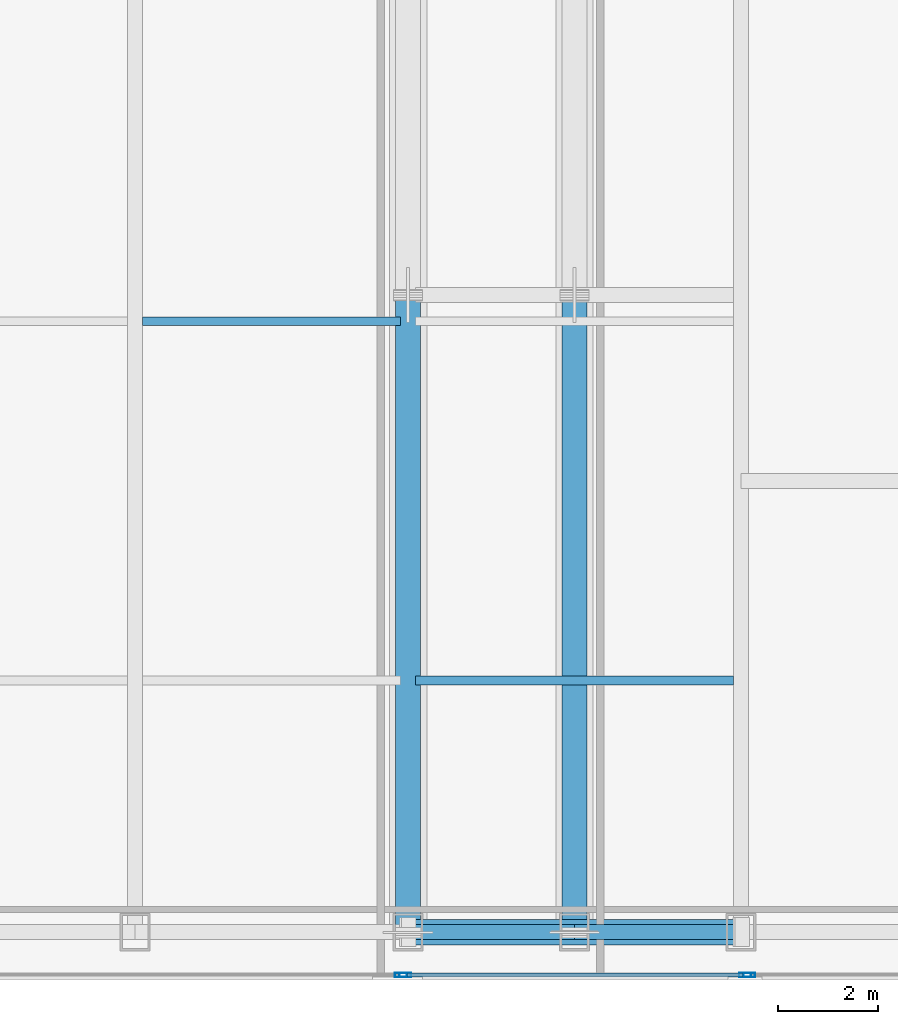
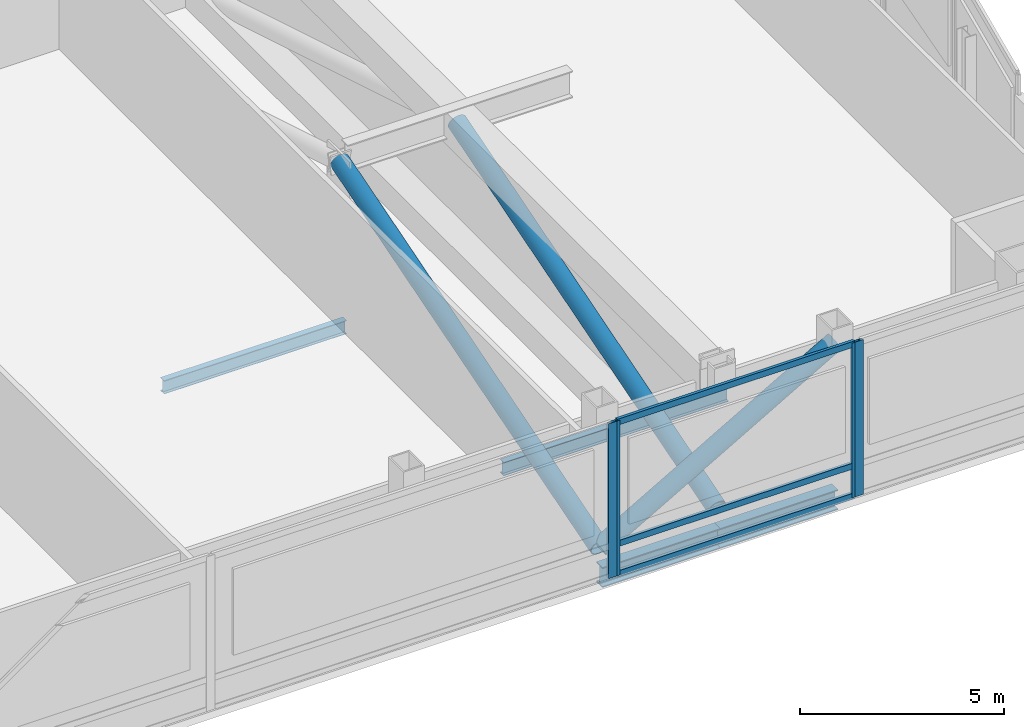
# One storey, part 16 of 32: 10 members, 4 beams, 3 elements without a shape of their own.
"""IFC4 building model written with IfcOpenShell, lengths in metres."""

from ifc_helpers import new_model, si_unit, direction, frame, origin, origin_2d, place, context, subcontext, project, spatial, hollow_rectangle, hollow_circle, i_section, extrude, material, material_profile, profile_set, type_object, element, aggregate, save


model = new_model("IFC4")

# Units and contexts
model_context = context("Model", 3, precision=1e-05, world=origin(), true_north=direction((0.0, 1.0)))
body_context = subcontext(model_context, "Body", "Model", "MODEL_VIEW")
ifc_project = project(units=[si_unit("LENGTHUNIT", "METRE"), si_unit("AREAUNIT", "SQUARE_METRE"), si_unit("VOLUMEUNIT", "CUBIC_METRE"), si_unit("PLANEANGLEUNIT", "RADIAN"), si_unit("MASSUNIT", "GRAM", prefix="KILO")], contexts=[model_context])

# Site, building, storey
site_placement = place(None, origin())
site = spatial("IfcSite", under=ifc_project, at=site_placement, CompositionType="ELEMENT")
building_placement = place(site_placement, origin())
building = spatial("IfcBuilding", under=site, at=building_placement, Name="Khoronbel Lancet Exchange", CompositionType="ELEMENT")
storey_placement = place(building_placement, frame((0.0, 0.0, 257.0)))
storey = spatial("IfcBuildingStorey", under=building, at=storey_placement, Name="L66", CompositionType="ELEMENT", Elevation=257.0)

# Beams
ifc_material_1 = material(Name="Steel S355", Category="steel")
ifc_material_profile_1 = material_profile(ifc_material_1, i_section(OverallWidth=0.179931640625, OverallDepth=0.39990234375, WebThickness=0.008544921875, FlangeThickness=0.013427734375, at=origin_2d()), Name="IPE 400")
ifc_profile_set_1 = profile_set([ifc_material_profile_1], Name="Steel S355")
beam_type_1 = type_object("IfcBeamType", Name="BM-BJ5", PredefinedType="JOIST", material=ifc_profile_set_1)
beam_1_placement = place(storey_placement, frame((48.14990234375, 15.199951171875, -0.419921875), z_axis=(1.0, 0.0, 0.0), x_axis=(0.0, 1.0, 0.0)))
element("IfcBeam", 1, at=beam_1_placement, inside=storey, type_object=beam_type_1, Name="Level L66 secondary composite joist J05", PredefinedType="JOIST", context=body_context, shape_type="SweptSolid", body=[
    extrude(i_section(OverallWidth=0.179931640625, OverallDepth=0.39990234375, WebThickness=0.008544921875, FlangeThickness=0.013427734375, at=origin_2d()), origin(), (0.0, 0.0, 1.0), 6.375),
])
beam_2_placement = place(storey_placement, frame((42.675048828125, 22.39990234375, -0.419921875), z_axis=(1.0, 0.0, 0.0), x_axis=(0.0, 1.0, 0.0)))
element("IfcBeam", 2, at=beam_2_placement, inside=storey, type_object=beam_type_1, Name="Level L66 secondary composite joist J09", PredefinedType="JOIST", context=body_context, shape_type="SweptSolid", body=[
    extrude(i_section(OverallWidth=0.179931640625, OverallDepth=0.39990234375, WebThickness=0.008544921875, FlangeThickness=0.013427734375, at=origin_2d()), origin(), (0.0, 0.0, 1.0), 5.175048828125),
])
ifc_material_profile_2 = material_profile(ifc_material_1, i_section(OverallWidth=0.300048828125, OverallDepth=0.60009765625, WebThickness=0.015380859375, FlangeThickness=0.030029296875, at=origin_2d()), Name="HEB 600")
ifc_profile_set_2 = profile_set([ifc_material_profile_2], Name="Steel S355")
beam_type_2 = type_object("IfcBeamType", Name="BM-BSP2", PredefinedType="SPANDREL", material=ifc_profile_set_2)
beam_3_placement = place(storey_placement, frame((48.0, 10.14990234375, -0.52001953125), z_axis=(1.0, 0.0, 0.0), x_axis=(0.0, 1.0, 0.0)))
element("IfcBeam", 3, at=beam_3_placement, inside=storey, type_object=beam_type_2, Name="Level L66 perimeter spandrel beam SP07", PredefinedType="SPANDREL", context=body_context, shape_type="SweptSolid", body=[
    extrude(i_section(OverallWidth=0.300048828125, OverallDepth=0.60009765625, WebThickness=0.015380859375, FlangeThickness=0.030029296875, at=origin_2d()), origin(), (0.0, 0.0, 1.0), 3.33740234375),
])
beam_4_placement = place(storey_placement, frame((51.33740234375, 10.14990234375, -0.52001953125), z_axis=(1.0, 0.0, 0.0), x_axis=(0.0, 1.0, 0.0)))
element("IfcBeam", 4, at=beam_4_placement, inside=storey, type_object=beam_type_2, Name="Level L66 perimeter spandrel beam SP08", PredefinedType="SPANDREL", context=body_context, shape_type="SweptSolid", body=[
    extrude(i_section(OverallWidth=0.300048828125, OverallDepth=0.60009765625, WebThickness=0.015380859375, FlangeThickness=0.030029296875, at=origin_2d()), origin(), (0.0, 0.0, 1.0), 3.337646484375),
])

# Curtain wall, member
ifc_material_2 = material(Name="Low-E Solar Control Insulating Glass", Category="glass")
curtain_wall_type = type_object("IfcCurtainWallType", Name="CW-3", PredefinedType="NOTDEFINED", material=ifc_material_2)
curtain_wall_1_placement = place(storey_placement, origin())
curtain_wall_1 = element("IfcCurtainWall", 5, at=curtain_wall_1_placement, inside=storey, type_object=curtain_wall_type, Name="Unitised curtain wall CW-L66-SCV", PredefinedType="NOTDEFINED")
ifc_material_3 = material(Name="Bronze-Anodised Aluminium 6063-T6", Category="aluminium")
ifc_material_profile_3 = material_profile(ifc_material_3, hollow_rectangle(XDim=0.0849609375, YDim=0.239990234375, WallThickness=0.006103515625, at=origin_2d()), Name="ALU MULLION 85x240")
ifc_profile_set_3 = profile_set([ifc_material_profile_3], Name="Bronze-Anodised Aluminium 6063-T6")
member_type_1 = type_object("IfcMemberType", Name="MEM-CWM1", PredefinedType="MULLION", material=ifc_profile_set_3)
member_1_placement = place(storey_placement, frame((47.857421875, 9.2900390625, 0.0), z_axis=(0.0, 0.0, 1.0), x_axis=(0.0, 1.0, 0.0)))
member_1 = element("IfcMember", 6, at=member_1_placement, type_object=member_type_1, Name="CW3 mullion 3", PredefinedType="MULLION", context=body_context, shape_type="SweptSolid", body=[
    extrude(hollow_rectangle(XDim=0.0849609375, YDim=0.239990234375, WallThickness=0.006103515625, at=origin_2d()), origin(), (0.0, 0.0, 1.0), 4.639892578125),
])
aggregate(curtain_wall_1, [member_1])

# Curtain wall, members
curtain_wall_2_placement = place(storey_placement, origin())
curtain_wall_2 = element("IfcCurtainWall", 7, at=curtain_wall_2_placement, inside=storey, type_object=curtain_wall_type, Name="Unitised curtain wall CW-L66-SEB", PredefinedType="NOTDEFINED")
member_2_placement = place(storey_placement, frame((47.9423828125, 9.2900390625, 0.0), z_axis=(0.0, 0.0, 1.0), x_axis=(0.0, 1.0, 0.0)))
member_2 = element("IfcMember", 8, at=member_2_placement, type_object=member_type_1, Name="CW3 mullion 1", PredefinedType="MULLION", context=body_context, shape_type="SweptSolid", body=[
    extrude(hollow_rectangle(XDim=0.0849609375, YDim=0.239990234375, WallThickness=0.006103515625, at=origin_2d()), origin(), (0.0, 0.0, 1.0), 4.639892578125),
])
member_3_placement = place(storey_placement, frame((54.757568359375, 9.2900390625, 0.0), z_axis=(0.0, 0.0, 1.0), x_axis=(0.0, 1.0, 0.0)))
member_3 = element("IfcMember", 9, at=member_3_placement, type_object=member_type_1, Name="CW3 mullion 2", PredefinedType="MULLION", context=body_context, shape_type="SweptSolid", body=[
    extrude(hollow_rectangle(XDim=0.0849609375, YDim=0.239990234375, WallThickness=0.006103515625, at=origin_2d()), origin(), (0.0, 0.0, 1.0), 4.639892578125),
])

# Curtain wall, member
curtain_wall_3_placement = place(storey_placement, origin())
curtain_wall_3 = element("IfcCurtainWall", 10, at=curtain_wall_3_placement, inside=storey, type_object=curtain_wall_type, Name="Unitised curtain wall CW-L66-SEV", PredefinedType="NOTDEFINED")
member_4_placement = place(storey_placement, frame((54.842529296875, 9.2900390625, 0.0), z_axis=(0.0, 0.0, 1.0), x_axis=(0.0, 1.0, 0.0)))
member_4 = element("IfcMember", 11, at=member_4_placement, type_object=member_type_1, Name="CW3 mullion 1", PredefinedType="MULLION", context=body_context, shape_type="SweptSolid", body=[
    extrude(hollow_rectangle(XDim=0.0849609375, YDim=0.239990234375, WallThickness=0.006103515625, at=origin_2d()), origin(), (0.0, 0.0, 1.0), 4.639892578125),
])
aggregate(curtain_wall_3, [member_4])

# Member
ifc_material_profile_4 = material_profile(ifc_material_3, hollow_rectangle(XDim=0.0849609375, YDim=0.179931640625, WallThickness=0.0048828125, at=origin_2d()), Name="ALU TRANSOM 85x180")
ifc_profile_set_4 = profile_set([ifc_material_profile_4], Name="Bronze-Anodised Aluminium 6063-T6")
member_type_2 = type_object("IfcMemberType", Name="MEM-CWT1", PredefinedType="USERDEFINED", material=ifc_profile_set_4)
member_5_placement = place(storey_placement, frame((47.985107421875, 9.2900390625, 0.04248046875), z_axis=(1.0, 0.0, 0.0), x_axis=(0.0, 1.0, 0.0)))
member_5 = element("IfcMember", 12, at=member_5_placement, type_object=member_type_2, Name="CW3 transom 1.1", ObjectType="TRANSOM", PredefinedType="USERDEFINED", context=body_context, shape_type="SweptSolid", body=[
    extrude(hollow_rectangle(XDim=0.0849609375, YDim=0.179931640625, WallThickness=0.0048828125, at=origin_2d()), origin(), (0.0, 0.0, 1.0), 6.72998046875),
])

member_6_placement = place(storey_placement, frame((47.985107421875, 9.2900390625, 0.949951171875), z_axis=(1.0, 0.0, 0.0), x_axis=(0.0, 1.0, 0.0)))
member_6 = element("IfcMember", 13, at=member_6_placement, type_object=member_type_2, Name="CW3 transom 1.2", ObjectType="TRANSOM", PredefinedType="USERDEFINED", context=body_context, shape_type="SweptSolid", body=[
    extrude(hollow_rectangle(XDim=0.0849609375, YDim=0.179931640625, WallThickness=0.0048828125, at=origin_2d()), origin(), (0.0, 0.0, 1.0), 6.72998046875),
])

member_7_placement = place(storey_placement, frame((47.985107421875, 9.2900390625, 4.597412109375), z_axis=(1.0, 0.0, 0.0), x_axis=(0.0, 1.0, 0.0)))
member_7 = element("IfcMember", 14, at=member_7_placement, type_object=member_type_2, Name="CW3 transom 1.3", ObjectType="TRANSOM", PredefinedType="USERDEFINED", context=body_context, shape_type="SweptSolid", body=[
    extrude(hollow_rectangle(XDim=0.0849609375, YDim=0.179931640625, WallThickness=0.0048828125, at=origin_2d()), origin(), (0.0, 0.0, 1.0), 6.72998046875),
])

aggregate(curtain_wall_2, [member_2, member_3, member_5, member_6, member_7])

# Members
ifc_material_4 = material(Name="Steel S460", Category="steel")
ifc_material_profile_5 = material_profile(ifc_material_4, hollow_circle(Radius=0.25390625, WallThickness=0.02490234375, at=origin_2d()), Name="CHS 508x25")
ifc_profile_set_5 = profile_set([ifc_material_profile_5], Name="Steel S460")
member_type_3 = type_object("IfcMemberType", Name="MEM-OBR2", PredefinedType="BRACE", material=ifc_profile_set_5)
for number, where, z_axis, x_axis, name in (
    (15, (48.0, 10.14990234375, 0.300048828125), (0.0, 0.957675542022, 0.287849884857), (-1.0, 0.0, 0.0), "Outrigger truss diagonal L66-3-1"),
    (16, (51.33740234375, 10.14990234375, 0.300048828125), (0.0, 0.957675542022, 0.287849884857), (-1.0, 0.0, 0.0), "Outrigger truss diagonal L66-4-1"),
):
    element("IfcMember", number, at=place(storey_placement, frame(where, z_axis=z_axis, x_axis=x_axis)), inside=storey, type_object=member_type_3, Name=name, PredefinedType="BRACE", context=body_context, shape_type="SweptSolid", body=[
        extrude(hollow_circle(Radius=0.25390625, WallThickness=0.02490234375, at=origin_2d()), origin(), (0.0, 0.0, 1.0), 13.33984375),
    ])
member_8_placement = place(storey_placement, frame((48.0, 10.14990234375, 0.300048828125), z_axis=(0.866811414457, 0.0, 0.498636111575), x_axis=(0.0, 1.0, 0.0)))
element("IfcMember", 17, at=member_8_placement, inside=storey, type_object=member_type_3, Name="Perimeter belt-truss diagonal L66-2", PredefinedType="BRACE", context=body_context, shape_type="SweptSolid", body=[
    extrude(hollow_circle(Radius=0.25390625, WallThickness=0.02490234375, at=origin_2d()), origin(), (0.0, 0.0, 1.0), 7.70068359375),
])

save(model, "model.ifc")
